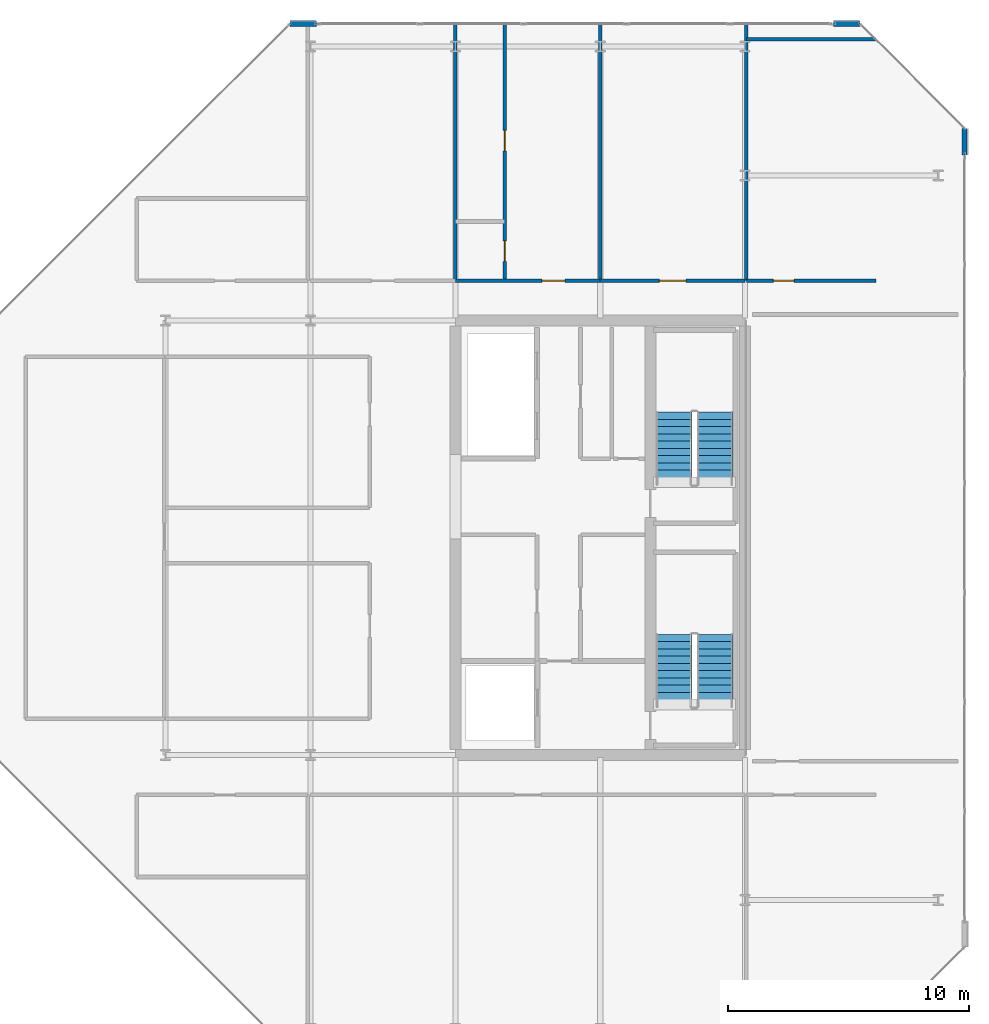
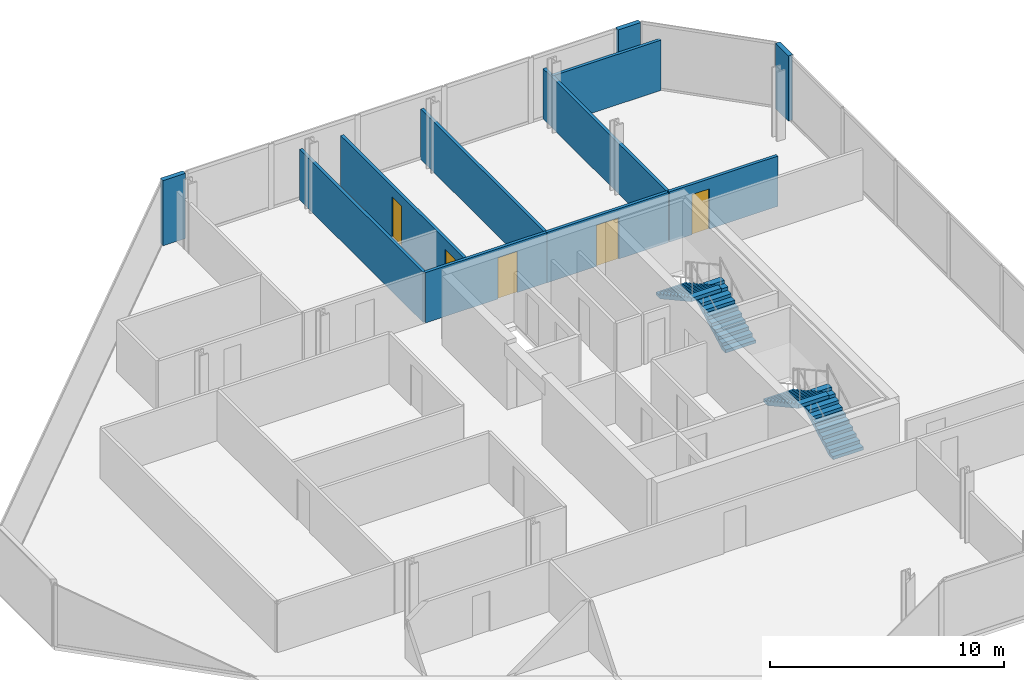
# One storey, part 15 of 17: 11 walls, 5 doors, 4 stair flights, 5 openings, 2 elements without a shape of their own.
"""IFC4 building model written with IfcOpenShell, lengths in metres."""

import ifcopenshell
import ifcopenshell.guid

model = None  # the IFC model being written
_history = None  # IfcOwnerHistory: only IFC2X3 demands one
_inside = {}  # id of a spatial element -> (the spatial element, [elements in it])
_under = {}  # id of a project, library or spatial element -> (it, [spatial elements below it])
_declared = {}  # id of a project -> (the project, [libraries it declares])
_typed = {}  # id of a type object -> (the type object, [elements of that type])
_made_of = {}  # id of a material, layer set ... -> (it, [elements and type objects made of it])


def new_model(schema):
    """Start an empty IFC model of exactly this schema.

    Asked for "IFC4X3", IfcOpenShell would pick the latest addendum, in which some entities
    have other attributes; the version numbers below select the first issue.
    IFC2X3 requires an IfcOwnerHistory on every rooted entity: one is made here for all.
    """
    global model, _history
    if schema == "IFC4X3":
        model = ifcopenshell.file(schema_version=(4, 3, 0, 0))
    else:
        model = ifcopenshell.file(schema=schema)
    _inside.clear()
    _under.clear()
    _declared.clear()
    _typed.clear()
    _made_of.clear()
    _history = None
    if model.schema == "IFC2X3":
        org = make("IfcOrganization", Name="unknown")
        user = make(
            "IfcPersonAndOrganization",
            ThePerson=make("IfcPerson", FamilyName="unknown"),
            TheOrganization=org,
        )
        app = make(
            "IfcApplication",
            ApplicationDeveloper=org,
            Version="unknown",
            ApplicationFullName="unknown",
            ApplicationIdentifier="unknown",
        )
        _history = make(
            "IfcOwnerHistory",
            OwningUser=user,
            OwningApplication=app,
            ChangeAction="ADDED",
            CreationDate=0,
        )
    return model


def make(cls, **values):
    """One entity of the class cls with the attributes given. An attribute that is None is left unset."""
    return model.create_entity(
        cls, **{name: value for name, value in values.items() if value is not None}
    )


def rooted(cls, **values):
    """An entity with a GlobalId (a new one), such as an element, a storey or a relation."""
    return make(cls, GlobalId=ifcopenshell.guid.new(), OwnerHistory=_history, **values)


def si_unit(unit_type, name, prefix=None):
    """IfcSIUnit, for example si_unit("LENGTHUNIT", "METRE", prefix="MILLI")."""
    return make("IfcSIUnit", UnitType=unit_type, Prefix=prefix, Name=name)


def assignment(units):
    """IfcUnitAssignment: the units of a project."""
    return None if units is None else make("IfcUnitAssignment", Units=units)


def point(xyz):
    """IfcCartesianPoint."""
    return None if xyz is None else make("IfcCartesianPoint", Coordinates=xyz)


def direction(xyz):
    """IfcDirection."""
    return None if xyz is None else make("IfcDirection", DirectionRatios=xyz)


def frame(location, z_axis=None, x_axis=None):
    """IfcAxis2Placement3D, a coordinate frame: its origin and axes. An axis left out is left unset."""
    return make(
        "IfcAxis2Placement3D",
        Location=point(location),
        Axis=direction(z_axis),
        RefDirection=direction(x_axis),
    )


def frame_2d(location, x_axis=None):
    """IfcAxis2Placement2D, a coordinate frame in the plane: its origin and x axis."""
    return make(
        "IfcAxis2Placement2D", Location=point(location), RefDirection=direction(x_axis)
    )


def origin():
    """The frame at (0, 0, 0) with its axes left unset."""
    return frame((0.0, 0.0, 0.0))


def place(relative_to, where):
    """IfcLocalPlacement: puts the frame where relative to a parent placement (None: the world)."""
    return make(
        "IfcLocalPlacement", PlacementRelTo=relative_to, RelativePlacement=where
    )


def context(
    kind, dimensions, precision=None, world=None, true_north=None, identifier=None
):
    """IfcGeometricRepresentationContext, for example the 3D "Model" context."""
    return make(
        "IfcGeometricRepresentationContext",
        ContextIdentifier=identifier,
        ContextType=kind,
        CoordinateSpaceDimension=dimensions,
        Precision=precision,
        WorldCoordinateSystem=world,
        TrueNorth=true_north,
    )


def subcontext(parent, identifier, kind, view, scale=None):
    """IfcGeometricRepresentationSubContext, for example "Body" below "Model"."""
    return make(
        "IfcGeometricRepresentationSubContext",
        ContextIdentifier=identifier,
        ContextType=kind,
        ParentContext=parent,
        TargetScale=scale,
        TargetView=view,
    )


def project(units=None, contexts=None):
    """IfcProject with its units and contexts."""
    return rooted(
        "IfcProject",
        Name="project",
        RepresentationContexts=contexts,
        UnitsInContext=assignment(units),
    )


def spatial(cls, under=None, at=None, **own):
    """A site, building, storey or space (cls), placed at a placement, below another one or the project."""
    s = rooted(cls, ObjectPlacement=at, **own)
    if under is not None:
        _under.setdefault(under.id(), (under, []))[1].append(s)
    return s


def polyline(points):
    """IfcPolyline through the points."""
    return make("IfcPolyline", Points=[point(p) for p in points])


def profile(cls, at=None, kind="AREA", **sizes):
    """A parametric profile (cls). Its sizes go by their IFC names, for example OverallWidth=200.0."""
    return make(cls, ProfileType=kind, Position=at, **sizes)


def rectangle(**sizes):
    """IfcRectangleProfileDef."""
    return profile("IfcRectangleProfileDef", **sizes)


def outline(outer, holes=None, kind="AREA"):
    """IfcArbitraryClosedProfileDef: a profile drawn as a closed curve; with holes, ...WithVoids."""
    if holes is None:
        return make("IfcArbitraryClosedProfileDef", ProfileType=kind, OuterCurve=outer)
    return make(
        "IfcArbitraryProfileDefWithVoids",
        ProfileType=kind,
        OuterCurve=outer,
        InnerCurves=holes,
    )


def extrude(swept, where, along, depth):
    """IfcExtrudedAreaSolid: the profile swept, set in the frame where, extruded along a direction by depth."""
    return make(
        "IfcExtrudedAreaSolid",
        SweptArea=swept,
        Position=where,
        ExtrudedDirection=direction(along),
        Depth=depth,
    )


def shape(context_of_items, identifier, shape_type, items):
    """IfcShapeRepresentation: the items that make up one representation, for example the "Body"."""
    return make(
        "IfcShapeRepresentation",
        ContextOfItems=context_of_items,
        RepresentationIdentifier=identifier,
        RepresentationType=shape_type,
        Items=items,
    )


def material(Name=None, Category=None):
    """IfcMaterial."""
    return make("IfcMaterial", Name=Name, Category=Category)


def layer(
    of_material, thickness, ventilated=None, Name=None, Category=None, Priority=None
):
    """IfcMaterialLayer: one layer of a wall or slab, of a material (None: an air gap)."""
    return make(
        "IfcMaterialLayer",
        Material=of_material,
        LayerThickness=thickness,
        IsVentilated=ventilated,
        Name=Name,
        Category=Category,
        Priority=Priority,
    )


def layer_set(layers, Name=None):
    """IfcMaterialLayerSet."""
    return make("IfcMaterialLayerSet", MaterialLayers=layers, LayerSetName=Name)


def made_of(thing, what):
    """Note that an element or type object is made of a material, layer set ...; save() writes the relation."""
    if what is not None:
        _made_of.setdefault(what.id(), (what, []))[1].append(thing)
    return thing


def type_object(cls, material=None, **own):
    """A type object (cls), such as IfcWallType, which elements share."""
    return made_of(rooted(cls, **own), material)


def element(
    cls,
    number,
    at=None,
    inside=None,
    cuts=None,
    type_object=None,
    material=None,
    context=None,
    identifier="Body",
    shape_type=None,
    held_by="IfcProductDefinitionShape",
    body=None,
    shapes=None,
    **own,
):
    """One element of the class cls, such as IfcWall. Its Tag is "e" and its number.

    at: its placement. inside: the storey or other place that contains it. cuts: it is an
    opening in that element (IfcRelVoidsElement). A single representation is given by context,
    identifier, shape_type and body (its items); several are given by shapes. held_by: the class
    of the entity that holds the representations. save() writes the other relations.
    """
    e = rooted(cls, Tag="e%d" % number, ObjectPlacement=at, **own)
    if body is not None:
        shapes = [shape(context, identifier, shape_type, body)]
    if shapes is not None:
        e.Representation = make(held_by, Representations=shapes)
    if inside is not None:
        _inside.setdefault(inside.id(), (inside, []))[1].append(e)
    if cuts is not None:
        rooted(
            "IfcRelVoidsElement", RelatingBuildingElement=cuts, RelatedOpeningElement=e
        )
    if type_object is not None:
        _typed.setdefault(type_object.id(), (type_object, []))[1].append(e)
    return made_of(e, material)


def fill(opening, filler):
    """IfcRelFillsElement: the door or window that sits in an opening."""
    return rooted(
        "IfcRelFillsElement",
        RelatingOpeningElement=opening,
        RelatedBuildingElement=filler,
    )


def aggregate(whole, parts):
    """IfcRelAggregates: a whole, such as a stair, and the parts it consists of."""
    return rooted("IfcRelAggregates", RelatingObject=whole, RelatedObjects=parts)


def save(model, path):
    """Write the relations noted so far, then the file.

    IfcRelAggregates (storeys below a building ...), IfcRelContainedInSpatialStructure (elements
    in a storey), IfcRelDefinesByType, IfcRelAssociatesMaterial and IfcRelDeclares: one each for
    every whole, place, type object, material and project.
    """
    for whole, parts in _under.values():
        aggregate(whole, parts)
    for where, things in _inside.values():
        rooted(
            "IfcRelContainedInSpatialStructure",
            RelatedElements=things,
            RelatingStructure=where,
        )
    for kind, things in _typed.values():
        rooted("IfcRelDefinesByType", RelatedObjects=things, RelatingType=kind)
    for what, things in _made_of.values():
        rooted("IfcRelAssociatesMaterial", RelatedObjects=things, RelatingMaterial=what)
    for by, libraries in _declared.values():
        rooted("IfcRelDeclares", RelatingContext=by, RelatedDefinitions=libraries)
    model.write(path)


model = new_model("IFC4")

# Units and contexts
model_context = context("Model", 3, precision=1e-05, world=origin(), true_north=direction((0.0, 1.0)))
body_context = subcontext(model_context, "Body", "Model", "MODEL_VIEW")
ifc_project = project(units=[si_unit("LENGTHUNIT", "METRE"), si_unit("AREAUNIT", "SQUARE_METRE"), si_unit("VOLUMEUNIT", "CUBIC_METRE"), si_unit("PLANEANGLEUNIT", "RADIAN"), si_unit("MASSUNIT", "GRAM", prefix="KILO")], contexts=[model_context])

# Site, building, storey
site_placement = place(None, origin())
site = spatial("IfcSite", under=ifc_project, at=site_placement, CompositionType="ELEMENT")
building_placement = place(site_placement, origin())
building = spatial("IfcBuilding", under=site, at=building_placement, Name="Tanjung Sevakor Pilgrim Tower", CompositionType="ELEMENT")
storey_placement = place(building_placement, frame((0.0, 0.0, 264.330078125)))
storey = spatial("IfcBuildingStorey", under=building, at=storey_placement, Name="L74", CompositionType="ELEMENT", Elevation=264.330078125)

# Wall, opening, door
ifc_material_1 = material(Name="Concrete C40/50", Category="concrete")
ifc_layer_1 = layer(ifc_material_1, 0.14990234375)
ifc_layer_set_1 = layer_set([ifc_layer_1], Name="WT-COMP-150")
wall_type_1 = type_object("IfcWallType", Name="WT-COMP-150", PredefinedType="SOLIDWALL", material=ifc_layer_set_1)
wall_1_placement = place(storey_placement, frame((90.050048828125, 44.25, 0.0), z_axis=(0.0, 0.0, 1.0), x_axis=(1.0, 0.0, 0.0)))
wall_1 = element("IfcWall", 1, at=wall_1_placement, inside=storey, type_object=wall_type_1, Name="L74 Partition IW-L74-026", PredefinedType="SOLIDWALL", context=body_context, shape_type="SweptSolid", body=[
    extrude(rectangle(XDim=5.369873046875, YDim=0.14990234375, at=frame_2d((2.68505859375, 0.0))), origin(), (0.0, 0.0, 1.0), 2.6298828125),
])
opening_1_placement = place(wall_1_placement, frame((1.125, 0.0, 0.0)))
opening_1 = element("IfcOpeningElement", 2, at=opening_1_placement, cuts=wall_1, Name="Opening ID-WC1", PredefinedType="OPENING", context=body_context, shape_type="SweptSolid", body=[
    extrude(rectangle(XDim=0.85009765625, YDim=2.10009765625, at=frame_2d((0.425048828125, 1.050048828125))), frame((0.0, 0.0849609375, 0.0), z_axis=(0.0, -1.0, 0.0), x_axis=(1.0, 0.0, 0.0)), (0.0, 0.0, 1.0), 0.169921875),
])
ifc_material_2 = material(Name="Moisture-Resistant Timber", Category="wood")
door_type_1 = type_object("IfcDoorType", Name="DT-INT-850", OperationType="NOTDEFINED", PredefinedType="DOOR", material=ifc_material_2)
door_1_placement = place(opening_1_placement, origin())
door_1 = element("IfcDoor", 3, at=door_1_placement, inside=storey, type_object=door_type_1, Name="L74 NE Crown Lounge Door", OperationType="SINGLE_SWING_RIGHT", OverallHeight=2.10009765625, OverallWidth=0.85009765625, PredefinedType="DOOR", context=body_context, shape_type="SweptSolid", body=[
    extrude(rectangle(XDim=0.85009765625, YDim=2.10009765625, at=frame_2d((0.425048828125, 1.050048828125))), frame((0.0, 0.02490234375, 0.0), z_axis=(0.0, -1.0, 0.0), x_axis=(1.0, 0.0, 0.0)), (0.0, 0.0, 1.0), 0.050048828125),
])
fill(opening_1, door_1)

# Walls
wall_2_placement = place(storey_placement, frame((90.050048828125, 54.25, 0.0), z_axis=(0.0, 0.0, 1.0), x_axis=(1.0, 0.0, 0.0)))
element("IfcWall", 4, at=wall_2_placement, inside=storey, type_object=wall_type_1, Name="L74 Partition IW-L74-027", PredefinedType="SOLIDWALL", context=body_context, shape_type="SweptSolid", body=[
    extrude(rectangle(XDim=5.369873046875, YDim=0.14990234375, at=frame_2d((2.68505859375, 0.0))), origin(), (0.0, 0.0, 1.0), 2.6298828125),
])
for number, where, z_axis, x_axis, name in (
    (5, (90.050048828125, 44.25, 0.0), (0.0, 0.0, 1.0), (0.0, 1.0, 0.0), "L74 Partition IW-L74-028"),
    (6, (78.0, 44.25, 0.0), (0.0, 0.0, 1.0), (0.0, 1.0, 0.0), "L74 Partition IW-L74-030"),
    (7, (84.0, 44.25, 0.0), (0.0, 0.0, 1.0), (0.0, 1.0, 0.0), "L74 Partition IW-L74-032"),
):
    element("IfcWall", number, at=place(storey_placement, frame(where, z_axis=z_axis, x_axis=x_axis)), inside=storey, type_object=wall_type_1, Name=name, PredefinedType="SOLIDWALL", context=body_context, shape_type="SweptSolid", body=[
        extrude(rectangle(XDim=10.610107421875, YDim=0.14990234375, at=frame_2d((5.30517578125, 0.0))), origin(), (0.0, 0.0, 1.0), 2.6298828125),
    ])

# Wall, opening, door
wall_3_placement = place(storey_placement, frame((78.0, 44.25, 0.0), z_axis=(0.0, 0.0, 1.0), x_axis=(1.0, 0.0, 0.0)))
wall_3 = element("IfcWall", 8, at=wall_3_placement, inside=storey, type_object=wall_type_1, Name="L74 Partition IW-L74-035", PredefinedType="SOLIDWALL", context=body_context, shape_type="SweptSolid", body=[
    extrude(rectangle(XDim=6.0, YDim=0.14990234375, at=frame_2d((3.0, 0.0))), origin(), (0.0, 0.0, 1.0), 2.6298828125),
])
opening_2_placement = place(wall_3_placement, frame((3.5849609375, 0.0, 0.0)))
opening_2 = element("IfcOpeningElement", 9, at=opening_2_placement, cuts=wall_3, Name="Opening ID-FD2", PredefinedType="OPENING", context=body_context, shape_type="SweptSolid", body=[
    extrude(rectangle(XDim=0.949951171875, YDim=2.14990234375, at=frame_2d((0.47509765625, 1.074951171875))), frame((0.0, 0.0849609375, 0.0), z_axis=(0.0, -1.0, 0.0), x_axis=(1.0, 0.0, 0.0)), (0.0, 0.0, 1.0), 0.169921875),
])
ifc_material_3 = material(Name="Fire-Rated Timber", Category="wood")
door_type_2 = type_object("IfcDoorType", Name="DT-FIRE-950", OperationType="NOTDEFINED", PredefinedType="DOOR", material=ifc_material_3)
door_2_placement = place(opening_2_placement, origin())
door_2 = element("IfcDoor", 10, at=door_2_placement, inside=storey, type_object=door_type_2, Name="Hotel Guestroom Entrance", OperationType="SINGLE_SWING_LEFT", OverallHeight=2.14990234375, OverallWidth=0.949951171875, PredefinedType="DOOR", context=body_context, shape_type="SweptSolid", body=[
    extrude(rectangle(XDim=0.949951171875, YDim=2.14990234375, at=frame_2d((0.47509765625, 1.074951171875))), frame((0.0, 0.02490234375, 0.0), z_axis=(0.0, -1.0, 0.0), x_axis=(1.0, 0.0, 0.0)), (0.0, 0.0, 1.0), 0.050048828125),
])
fill(opening_2, door_2)

wall_4_placement = place(storey_placement, frame((84.0, 44.25, 0.0), z_axis=(0.0, 0.0, 1.0), x_axis=(1.0, 0.0, 0.0)))
wall_4 = element("IfcWall", 11, at=wall_4_placement, inside=storey, type_object=wall_type_1, Name="L74 Partition IW-L74-036", PredefinedType="SOLIDWALL", context=body_context, shape_type="SweptSolid", body=[
    extrude(rectangle(XDim=6.0, YDim=0.14990234375, at=frame_2d((3.0, 0.0))), origin(), (0.0, 0.0, 1.0), 2.6298828125),
])
opening_3_placement = place(wall_4_placement, frame((2.449951171875, 0.0, 0.0)))
opening_3 = element("IfcOpeningElement", 12, at=opening_3_placement, cuts=wall_4, Name="Opening ID-FD0", PredefinedType="OPENING", context=body_context, shape_type="SweptSolid", body=[
    extrude(rectangle(XDim=1.10009765625, YDim=2.14990234375, at=frame_2d((0.550048828125, 1.074951171875))), frame((0.0, 0.0849609375, 0.0), z_axis=(0.0, -1.0, 0.0), x_axis=(1.0, 0.0, 0.0)), (0.0, 0.0, 1.0), 0.169921875),
])
ifc_material_4 = material(Name="Fire-Rated Steel S355J2", Category="steel")
door_type_3 = type_object("IfcDoorType", Name="DT-FIRE-1100", OperationType="NOTDEFINED", PredefinedType="DOOR", material=ifc_material_4)
door_3_placement = place(opening_3_placement, origin())
door_3 = element("IfcDoor", 13, at=door_3_placement, inside=storey, type_object=door_type_3, Name="Communal Lounge Door", OperationType="SINGLE_SWING_RIGHT", OverallHeight=2.14990234375, OverallWidth=1.10009765625, PredefinedType="DOOR", context=body_context, shape_type="SweptSolid", body=[
    extrude(rectangle(XDim=1.10009765625, YDim=2.14990234375, at=frame_2d((0.550048828125, 1.074951171875))), frame((0.0, 0.02490234375, 0.0), z_axis=(0.0, -1.0, 0.0), x_axis=(1.0, 0.0, 0.0)), (0.0, 0.0, 1.0), 0.050048828125),
])
fill(opening_3, door_3)

# Walls
ifc_material_5 = material(Name="Precast concrete C45/55", Category="concrete")
ifc_layer_2 = layer(ifc_material_5, 0.219970703125)
ifc_layer_set_2 = layer_set([ifc_layer_2], Name="WT-EW-STN4")
wall_type_2 = type_object("IfcWallType", Name="WT-EW-STN4", PredefinedType="SOLIDWALL", material=ifc_layer_set_2)
for number, where, z_axis, x_axis, name in (
    (14, (99.090087890625, 49.454345703125, 0.0), (0.0, 0.0, 1.0), (0.0, 1.0, 0.0), "L74 EAST Crown Pier 2-1B"),
    (15, (94.75439453125, 54.889892578125, 0.0), (0.0, 0.0, 1.0), (-1.0, 0.0, 0.0), "L74 EAST Crown Pier 4-1A"),
    (16, (72.24560546875, 54.889892578125, 0.0), (0.0, 0.0, 1.0), (-1.0, 0.0, 0.0), "L74 EAST Crown Pier 4-1B"),
):
    element("IfcWall", number, at=place(storey_placement, frame(where, z_axis=z_axis, x_axis=x_axis)), inside=storey, type_object=wall_type_2, Name=name, PredefinedType="SOLIDWALL", context=body_context, shape_type="SweptSolid", body=[
        extrude(rectangle(XDim=1.10009765625, YDim=0.219970703125, at=frame_2d((0.550048828125, 0.0))), origin(), (0.0, 0.0, 1.0), 3.409912109375),
    ])

# Wall, openings, doors
ifc_material_6 = material(Name="Gypsum Board Partition", Category="gypsum board")
ifc_layer_3 = layer(ifc_material_6, 0.14990234375)
ifc_layer_set_3 = layer_set([ifc_layer_3], Name="WT-PART-150")
wall_type_3 = type_object("IfcWallType", Name="WT-PART-150", PredefinedType="PARTITIONING", material=ifc_layer_set_3)
wall_5_placement = place(storey_placement, frame((80.0400390625, 44.25, 0.0), z_axis=(0.0, 0.0, 1.0), x_axis=(0.0, 1.0, 0.0)))
wall_5 = element("IfcWall", 17, at=wall_5_placement, inside=storey, type_object=wall_type_3, Name="L74 Partition IW-L74-034", PredefinedType="PARTITIONING", context=body_context, shape_type="SweptSolid", body=[
    extrude(rectangle(XDim=10.610107421875, YDim=0.14990234375, at=frame_2d((5.30517578125, 0.0))), origin(), (0.0, 0.0, 1.0), 2.6298828125),
])
opening_4_placement = place(wall_5_placement, frame((0.800048828125, 0.0, 0.0)))
opening_4 = element("IfcOpeningElement", 18, at=opening_4_placement, cuts=wall_5, Name="Opening ID-WC1", PredefinedType="OPENING", context=body_context, shape_type="SweptSolid", body=[
    extrude(rectangle(XDim=0.85009765625, YDim=2.10009765625, at=frame_2d((0.425048828125, 1.050048828125))), frame((0.0, 0.0849609375, 0.0), z_axis=(0.0, -1.0, 0.0), x_axis=(1.0, 0.0, 0.0)), (0.0, 0.0, 1.0), 0.169921875),
])
opening_5_placement = place(wall_5_placement, frame((5.3740234375, 0.0, 0.0)))
opening_5 = element("IfcOpeningElement", 19, at=opening_5_placement, cuts=wall_5, Name="Opening ID-WC1", PredefinedType="OPENING", context=body_context, shape_type="SweptSolid", body=[
    extrude(rectangle(XDim=0.85009765625, YDim=2.10009765625, at=frame_2d((0.425048828125, 1.050048828125))), frame((0.0, 0.0849609375, 0.0), z_axis=(0.0, -1.0, 0.0), x_axis=(1.0, 0.0, 0.0)), (0.0, 0.0, 1.0), 0.169921875),
])
door_4_placement = place(opening_4_placement, origin())
door_4 = element("IfcDoor", 20, at=door_4_placement, inside=storey, type_object=door_type_1, Name="Bathroom Door", OperationType="SINGLE_SWING_LEFT", OverallHeight=2.10009765625, OverallWidth=0.85009765625, PredefinedType="DOOR", context=body_context, shape_type="SweptSolid", body=[
    extrude(rectangle(XDim=0.85009765625, YDim=2.10009765625, at=frame_2d((0.425048828125, 1.050048828125))), frame((0.0, 0.02490234375, 0.0), z_axis=(0.0, -1.0, 0.0), x_axis=(1.0, 0.0, 0.0)), (0.0, 0.0, 1.0), 0.050048828125),
])
fill(opening_4, door_4)
door_5_placement = place(opening_5_placement, origin())
door_5 = element("IfcDoor", 21, at=door_5_placement, inside=storey, type_object=door_type_1, Name="Study Nook Door", OperationType="SINGLE_SWING_RIGHT", OverallHeight=2.10009765625, OverallWidth=0.85009765625, PredefinedType="DOOR", context=body_context, shape_type="SweptSolid", body=[
    extrude(rectangle(XDim=0.85009765625, YDim=2.10009765625, at=frame_2d((0.425048828125, 1.050048828125))), frame((0.0, 0.02490234375, 0.0), z_axis=(0.0, -1.0, 0.0), x_axis=(1.0, 0.0, 0.0)), (0.0, 0.0, 1.0), 0.050048828125),
])
fill(opening_5, door_5)

# Stair, stair flights
ifc_material_7 = material(Name="Concrete C40/50", Category="concrete")
stair_type = type_object("IfcStairType", Name="STAIR-ST-CR150", PredefinedType="HALF_TURN_STAIR", material=ifc_material_7)
stair_1_placement = place(storey_placement, origin())
stair_1 = element("IfcStair", 22, at=stair_1_placement, inside=storey, type_object=stair_type, Name="L74 East Core Exit Stair 1", PredefinedType="HALF_TURN_STAIR")
ifc_material_8 = material(Name="Concrete C40/50", Category="concrete")
stair_flight_type = type_object("IfcStairFlightType", Name="FLIGHT-ST-CR150", PredefinedType="STRAIGHT", material=ifc_material_8)
stair_flight_1_placement = place(storey_placement, frame((88.75, 26.60009765625, 0.0), z_axis=(0.0, 0.0, 1.0), x_axis=(0.0, 1.0, 0.0)))
stair_flight_1 = element("IfcStairFlight", 23, at=stair_flight_1_placement, type_object=stair_flight_type, Name="TS-E1 flight 1", NumberOfRisers=11, NumberOfTreads=10, PredefinedType="STRAIGHT", RiserHeight=0.165, TreadLength=0.3, context=body_context, shape_type="SweptSolid", body=[
    extrude(outline(polyline([(0.0, 0.0), (0.0, 0.1650390625), (0.300048828125, 0.1650390625), (0.300048828125, 0.330078125), (0.60009765625, 0.330078125), (0.60009765625, 0.4951171875), (0.89990234375, 0.4951171875), (0.89990234375, 0.659912109375), (1.199951171875, 0.659912109375), (1.199951171875, 0.824951171875), (1.5, 0.824951171875), (1.5, 0.989990234375), (1.800048828125, 0.989990234375), (1.800048828125, 1.155029296875), (2.10009765625, 1.155029296875), (2.10009765625, 1.320068359375), (2.39990234375, 1.320068359375), (2.39990234375, 1.485107421875), (2.699951171875, 1.485107421875), (2.699951171875, 1.64990234375), (3.0, 1.64990234375), (3.0, 1.81494140625), (3.0, 1.467529296875), (0.331787109375, 0.0), (0.0, 0.0)])), frame((0.0, 0.75, 0.0), z_axis=(0.0, -1.0, 0.0), x_axis=(1.0, 0.0, 0.0)), (0.0, 0.0, 1.0), 1.5),
])
stair_flight_2_placement = place(storey_placement, frame((87.050048828125, 29.60009765625, 1.81494140625), z_axis=(0.0, 0.0, 1.0), x_axis=(0.0, -1.0, 0.0)))
stair_flight_2 = element("IfcStairFlight", 24, at=stair_flight_2_placement, type_object=stair_flight_type, Name="TS-E1 flight 2", NumberOfRisers=11, NumberOfTreads=10, PredefinedType="STRAIGHT", RiserHeight=0.165, TreadLength=0.3, context=body_context, shape_type="SweptSolid", body=[
    extrude(outline(polyline([(0.0, 0.0), (0.0, 0.1650390625), (0.300048828125, 0.1650390625), (0.300048828125, 0.330078125), (0.60009765625, 0.330078125), (0.60009765625, 0.4951171875), (0.89990234375, 0.4951171875), (0.89990234375, 0.659912109375), (1.199951171875, 0.659912109375), (1.199951171875, 0.824951171875), (1.5, 0.824951171875), (1.5, 0.989990234375), (1.800048828125, 0.989990234375), (1.800048828125, 1.155029296875), (2.10009765625, 1.155029296875), (2.10009765625, 1.320068359375), (2.39990234375, 1.320068359375), (2.39990234375, 1.485107421875), (2.699951171875, 1.485107421875), (2.699951171875, 1.64990234375), (3.0, 1.64990234375), (3.0, 1.81494140625), (3.0, 1.467529296875), (0.331787109375, 0.0), (0.0, 0.0)])), frame((0.0, 0.75, 0.0), z_axis=(0.0, -1.0, 0.0), x_axis=(1.0, 0.0, 0.0)), (0.0, 0.0, 1.0), 1.5),
])
aggregate(stair_1, [stair_flight_1, stair_flight_2])

stair_2_placement = place(storey_placement, origin())
stair_2 = element("IfcStair", 25, at=stair_2_placement, inside=storey, type_object=stair_type, Name="L74 East Core Exit Stair 2", PredefinedType="HALF_TURN_STAIR")
stair_flight_3_placement = place(storey_placement, frame((88.75, 35.800048828125, 0.0), z_axis=(0.0, 0.0, 1.0), x_axis=(0.0, 1.0, 0.0)))
stair_flight_3 = element("IfcStairFlight", 26, at=stair_flight_3_placement, type_object=stair_flight_type, Name="TS-E2 flight 1", NumberOfRisers=11, NumberOfTreads=10, PredefinedType="STRAIGHT", RiserHeight=0.165, TreadLength=0.3, context=body_context, shape_type="SweptSolid", body=[
    extrude(outline(polyline([(0.0, 0.0), (0.0, 0.1650390625), (0.300048828125, 0.1650390625), (0.300048828125, 0.330078125), (0.60009765625, 0.330078125), (0.60009765625, 0.4951171875), (0.89990234375, 0.4951171875), (0.89990234375, 0.659912109375), (1.199951171875, 0.659912109375), (1.199951171875, 0.824951171875), (1.5, 0.824951171875), (1.5, 0.989990234375), (1.800048828125, 0.989990234375), (1.800048828125, 1.155029296875), (2.10009765625, 1.155029296875), (2.10009765625, 1.320068359375), (2.39990234375, 1.320068359375), (2.39990234375, 1.485107421875), (2.699951171875, 1.485107421875), (2.699951171875, 1.64990234375), (3.0, 1.64990234375), (3.0, 1.81494140625), (3.0, 1.467529296875), (0.331787109375, 0.0), (0.0, 0.0)])), frame((0.0, 0.75, 0.0), z_axis=(0.0, -1.0, 0.0), x_axis=(1.0, 0.0, 0.0)), (0.0, 0.0, 1.0), 1.5),
])
stair_flight_4_placement = place(storey_placement, frame((87.050048828125, 38.800048828125, 1.81494140625), z_axis=(0.0, 0.0, 1.0), x_axis=(0.0, -1.0, 0.0)))
stair_flight_4 = element("IfcStairFlight", 27, at=stair_flight_4_placement, type_object=stair_flight_type, Name="TS-E2 flight 2", NumberOfRisers=11, NumberOfTreads=10, PredefinedType="STRAIGHT", RiserHeight=0.165, TreadLength=0.3, context=body_context, shape_type="SweptSolid", body=[
    extrude(outline(polyline([(0.0, 0.0), (0.0, 0.1650390625), (0.300048828125, 0.1650390625), (0.300048828125, 0.330078125), (0.60009765625, 0.330078125), (0.60009765625, 0.4951171875), (0.89990234375, 0.4951171875), (0.89990234375, 0.659912109375), (1.199951171875, 0.659912109375), (1.199951171875, 0.824951171875), (1.5, 0.824951171875), (1.5, 0.989990234375), (1.800048828125, 0.989990234375), (1.800048828125, 1.155029296875), (2.10009765625, 1.155029296875), (2.10009765625, 1.320068359375), (2.39990234375, 1.320068359375), (2.39990234375, 1.485107421875), (2.699951171875, 1.485107421875), (2.699951171875, 1.64990234375), (3.0, 1.64990234375), (3.0, 1.81494140625), (3.0, 1.467529296875), (0.331787109375, 0.0), (0.0, 0.0)])), frame((0.0, 0.75, 0.0), z_axis=(0.0, -1.0, 0.0), x_axis=(1.0, 0.0, 0.0)), (0.0, 0.0, 1.0), 1.5),
])
aggregate(stair_2, [stair_flight_3, stair_flight_4])

save(model, "model.ifc")
